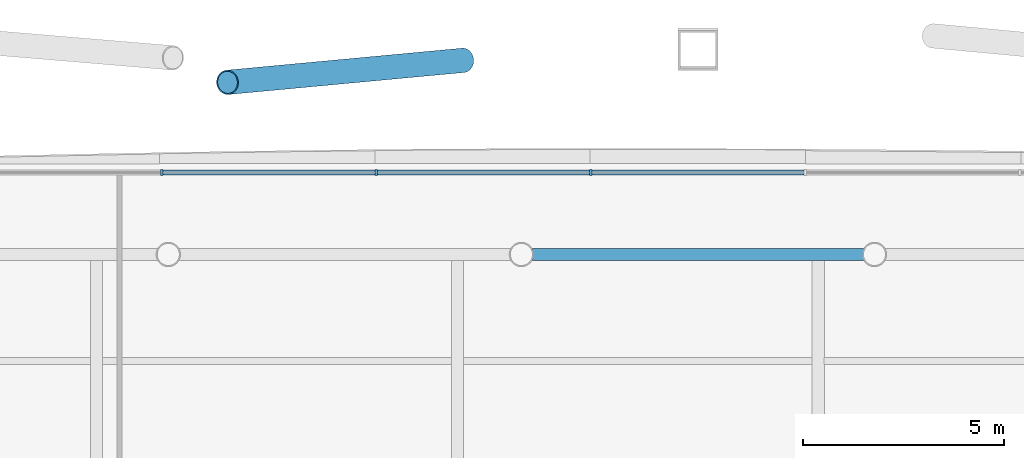
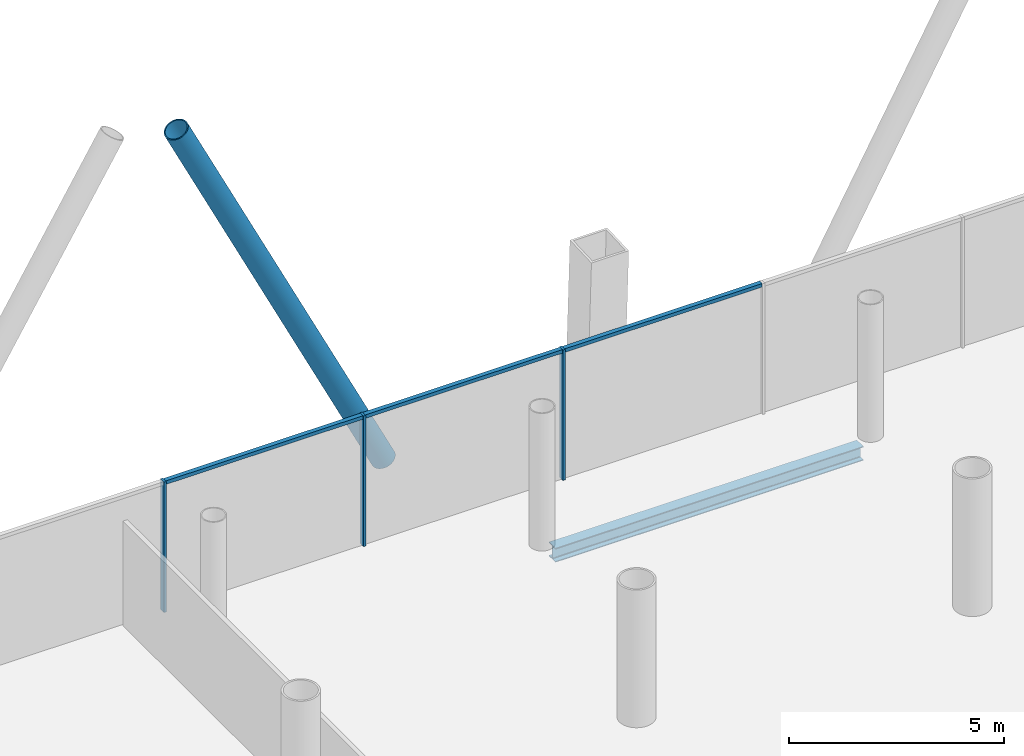
# One storey, part 13 of 25: 7 members, 1 beam, 1 element without a shape of its own.
"""IFC4 building model written with IfcOpenShell, lengths in metres."""

from ifc_helpers import new_model, si_unit, direction, frame, origin, origin_2d, place, context, subcontext, project, spatial, rectangle, hollow_circle, i_section, extrude, material, material_profile, profile_set, type_object, element, aggregate, save


model = new_model("IFC4")

# Units and contexts
model_context = context("Model", 3, precision=1e-05, world=origin(), true_north=direction((0.0, 1.0)))
body_context = subcontext(model_context, "Body", "Model", "MODEL_VIEW")
ifc_project = project(units=[si_unit("LENGTHUNIT", "METRE"), si_unit("AREAUNIT", "SQUARE_METRE"), si_unit("VOLUMEUNIT", "CUBIC_METRE"), si_unit("PLANEANGLEUNIT", "RADIAN"), si_unit("MASSUNIT", "GRAM", prefix="KILO")], contexts=[model_context])

# Site, building, storey
site_placement = place(None, origin())
site = spatial("IfcSite", under=ifc_project, at=site_placement, CompositionType="ELEMENT")
building_placement = place(site_placement, origin())
building = spatial("IfcBuilding", under=site, at=building_placement, Name="Tskaro Facet Tower", CompositionType="ELEMENT")
storey_placement = place(building_placement, frame((0.0, 0.0, 22.5)))
storey = spatial("IfcBuildingStorey", under=building, at=storey_placement, Name="L04", CompositionType="ELEMENT", Elevation=22.5)

# Member
ifc_material_1 = material(Name="Steel S355J2H", Category="steel")
ifc_material_profile_1 = material_profile(ifc_material_1, hollow_circle(Radius=0.304931640625, WallThickness=0.030029296875, at=origin_2d()), Name="CHS 610x30")
ifc_profile_set_1 = profile_set([ifc_material_profile_1], Name="Steel S355J2H")
member_type_1 = type_object("IfcMemberType", Name="CHS 610x30 brace", PredefinedType="BRACE", material=ifc_profile_set_1)
member_1_placement = place(storey_placement, frame((-8.86572265625, 29.997314453125, 0.0), z_axis=(-0.447783743865, -0.041822472373, 0.893163254693), x_axis=(0.092994089186, -0.995666660774, 0.0)))
element("IfcMember", 1, at=member_1_placement, inside=storey, type_object=member_type_1, Name="CHS 610x30 XB08A/1", PredefinedType="BRACE", context=body_context, shape_type="SweptSolid", body=[
    extrude(hollow_circle(Radius=0.304931640625, WallThickness=0.030029296875, at=origin_2d()), origin(), (0.0, 0.0, 1.0), 13.099365234375),
])

# Curtain wall, members
ifc_material_2 = material(Name="Bronze anodised aluminium 6063-T6", Category="aluminium")
curtain_wall_type = type_object("IfcCurtainWallType", Name="Bronze office curtain wall (FW1)", PredefinedType="NOTDEFINED", material=ifc_material_2)
curtain_wall_placement = place(storey_placement, origin())
curtain_wall = element("IfcCurtainWall", 2, at=curtain_wall_placement, inside=storey, type_object=curtain_wall_type, Name="FW1 north facet L04", PredefinedType="NOTDEFINED")
ifc_material_profile_2 = material_profile(ifc_material_2, rectangle(XDim=0.06005859375, YDim=0.159912109375, at=origin_2d()), Name="Mullion 60x160")
ifc_profile_set_2 = profile_set([ifc_material_profile_2], Name="Bronze anodised aluminium 6063-T6")
member_type_2 = type_object("IfcMemberType", Name="FW1 bronze mullion 60x160", PredefinedType="MULLION", material=ifc_profile_set_2)
member_2_placement = place(storey_placement, frame((-5.674072265625, 27.201904296875, 0.0), z_axis=(0.0, 0.0, 1.0), x_axis=(-1.0, 0.0, 0.0)))
member_2 = element("IfcMember", 3, at=member_2_placement, type_object=member_type_2, Name="FW1 north mullion 5", PredefinedType="MULLION", context=body_context, shape_type="SweptSolid", body=[
    extrude(rectangle(XDim=0.06005859375, YDim=0.159912109375, at=origin_2d()), origin(), (0.0, 0.0, 1.0), 3.699951171875),
])
member_3_placement = place(storey_placement, frame((-11.02197265625, 27.201904296875, 0.0), z_axis=(0.0, 0.0, 1.0), x_axis=(-1.0, 0.0, 0.0)))
member_3 = element("IfcMember", 4, at=member_3_placement, type_object=member_type_2, Name="FW1 north mullion 6", PredefinedType="MULLION", context=body_context, shape_type="SweptSolid", body=[
    extrude(rectangle(XDim=0.06005859375, YDim=0.159912109375, at=origin_2d()), origin(), (0.0, 0.0, 1.0), 3.699951171875),
])
member_4_placement = place(storey_placement, frame((-16.3701171875, 27.201904296875, 0.0), z_axis=(0.0, 0.0, 1.0), x_axis=(-1.0, 0.0, 0.0)))
member_4 = element("IfcMember", 5, at=member_4_placement, type_object=member_type_2, Name="FW1 north mullion 7", PredefinedType="MULLION", context=body_context, shape_type="SweptSolid", body=[
    extrude(rectangle(XDim=0.06005859375, YDim=0.159912109375, at=origin_2d()), origin(), (0.0, 0.0, 1.0), 3.699951171875),
])
ifc_material_profile_3 = material_profile(ifc_material_2, rectangle(XDim=0.1201171875, YDim=0.10009765625, at=origin_2d()), Name="Transom 120x100")
ifc_profile_set_3 = profile_set([ifc_material_profile_3], Name="Bronze anodised aluminium 6063-T6")
member_type_3 = type_object("IfcMemberType", Name="FW1 bronze transom 120x100", PredefinedType="USERDEFINED", material=ifc_profile_set_3)
member_5_placement = place(storey_placement, frame((-0.35595703125, 27.201904296875, 3.64990234375), z_axis=(-1.0, 0.0, 0.0), x_axis=(0.0, -1.0, 0.0)))
member_5 = element("IfcMember", 6, at=member_5_placement, type_object=member_type_3, Name="FW1 north transom 5.1", ObjectType="TRANSOM", PredefinedType="USERDEFINED", context=body_context, shape_type="SweptSolid", body=[
    extrude(rectangle(XDim=0.1201171875, YDim=0.10009765625, at=origin_2d()), origin(), (0.0, 0.0, 1.0), 5.2880859375),
])
member_6_placement = place(storey_placement, frame((-5.7041015625, 27.201904296875, 3.64990234375), z_axis=(-1.0, 0.0, 0.0), x_axis=(0.0, -1.0, 0.0)))
member_6 = element("IfcMember", 7, at=member_6_placement, type_object=member_type_3, Name="FW1 north transom 6.1", ObjectType="TRANSOM", PredefinedType="USERDEFINED", context=body_context, shape_type="SweptSolid", body=[
    extrude(rectangle(XDim=0.1201171875, YDim=0.10009765625, at=origin_2d()), origin(), (0.0, 0.0, 1.0), 5.287841796875),
])
member_7_placement = place(storey_placement, frame((-11.052001953125, 27.201904296875, 3.64990234375), z_axis=(-1.0, 0.0, 0.0), x_axis=(0.0, -1.0, 0.0)))
member_7 = element("IfcMember", 8, at=member_7_placement, type_object=member_type_3, Name="FW1 north transom 7.1", ObjectType="TRANSOM", PredefinedType="USERDEFINED", context=body_context, shape_type="SweptSolid", body=[
    extrude(rectangle(XDim=0.1201171875, YDim=0.10009765625, at=origin_2d()), origin(), (0.0, 0.0, 1.0), 5.2880859375),
])
aggregate(curtain_wall, [member_2, member_3, member_4, member_5, member_6, member_7])

# Beam
ifc_material_3 = material(Name="Steel S355J2", Category="steel")
ifc_material_profile_4 = material_profile(ifc_material_3, i_section(OverallWidth=0.300048828125, OverallDepth=0.39990234375, WebThickness=0.013427734375, FlangeThickness=0.02392578125, FilletRadius=0.027099609375, at=origin_2d()), Name="HE 400 B")
ifc_profile_set_4 = profile_set([ifc_material_profile_4], Name="Steel S355J2")
beam_type = type_object("IfcBeamType", Name="HE 400 B ring beam", PredefinedType="BEAM", material=ifc_profile_set_4)
beam_placement = place(storey_placement, frame((1.126953125, 25.156982421875, -0.340087890625), z_axis=(-1.0, 0.0, 0.0), x_axis=(0.0, -1.0, 0.0)))
element("IfcBeam", 9, at=beam_placement, inside=storey, type_object=beam_type, Name="HE 400 B EB16-1", PredefinedType="BEAM", context=body_context, shape_type="SweptSolid", body=[
    extrude(i_section(OverallWidth=0.300048828125, OverallDepth=0.39990234375, WebThickness=0.013427734375, FlangeThickness=0.02392578125, FilletRadius=0.027099609375, at=origin_2d()), origin(), (0.0, 0.0, 1.0), 8.25390625),
])

save(model, "model.ifc")
